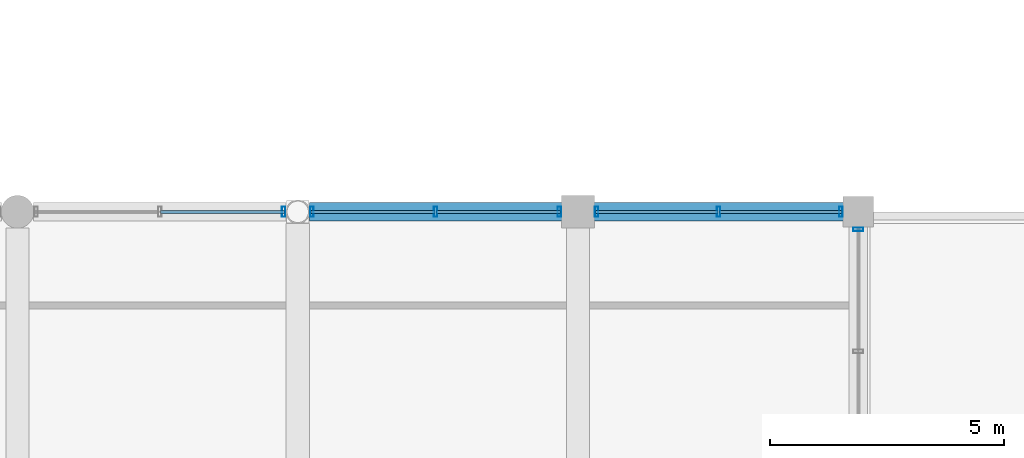
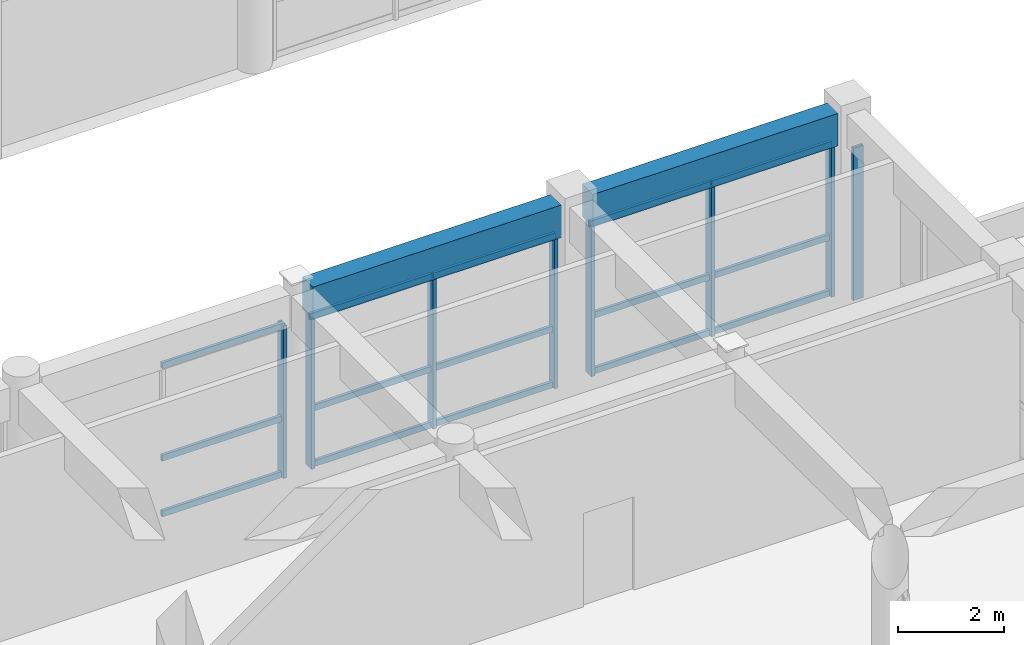
# One storey, part 41 of 116: 23 members, 2 beams, 4 elements without a shape of their own.
"""IFC4 building model written with IfcOpenShell, lengths in metres."""

from ifc_helpers import new_model, si_unit, direction, frame, origin, origin_2d, place, context, subcontext, project, spatial, rectangle, hollow_rectangle, extrude, material, material_profile, profile_set, type_object, element, aggregate, save


model = new_model("IFC4")

# Units and contexts
model_context = context("Model", 3, precision=1e-05, world=origin(), true_north=direction((0.0, 1.0)))
body_context = subcontext(model_context, "Body", "Model", "MODEL_VIEW")
ifc_project = project(units=[si_unit("LENGTHUNIT", "METRE"), si_unit("AREAUNIT", "SQUARE_METRE"), si_unit("VOLUMEUNIT", "CUBIC_METRE"), si_unit("PLANEANGLEUNIT", "RADIAN"), si_unit("MASSUNIT", "GRAM", prefix="KILO"), si_unit("THERMODYNAMICTEMPERATUREUNIT", "KELVIN"), si_unit("POWERUNIT", "WATT")], contexts=[model_context])

# Site, building, storey
site_placement = place(None, origin())
site = spatial("IfcSite", under=ifc_project, at=site_placement, CompositionType="ELEMENT")
building_placement = place(site_placement, origin())
building = spatial("IfcBuilding", under=site, at=building_placement, Name="Phaisarnlok Congress Hotel", CompositionType="ELEMENT")
storey_placement = place(building_placement, frame((0.0, 0.0, 10.5)))
storey = spatial("IfcBuildingStorey", under=building, at=storey_placement, Name="L02", CompositionType="ELEMENT", Elevation=10.5)

# Curtain wall, member
ifc_material_1 = material(Name="Thermally Broken Unitised Aluminium & Low-E Glazing", Category="aluminium")
curtain_wall_type_1 = type_object("IfcCurtainWallType", Name="CW-UNIT-16", PredefinedType="NOTDEFINED", material=ifc_material_1)
curtain_wall_1_placement = place(storey_placement, origin())
curtain_wall_1 = element("IfcCurtainWall", 1, at=curtain_wall_1_placement, inside=storey, type_object=curtain_wall_type_1, Name="Unitised curtain wall CW-16 (L02)", PredefinedType="NOTDEFINED")
ifc_material_2 = material(Name="Anodised Aluminium Alloy 6063-T6", Category="aluminium")
ifc_material_profile_1 = material_profile(ifc_material_2, hollow_rectangle(XDim=0.074951171875, YDim=0.219970703125, WallThickness=0.0048828125, at=origin_2d()), Name="ALU-M 75x220x5")
ifc_profile_set_1 = profile_set([ifc_material_profile_1], Name="Anodised Aluminium Alloy 6063-T6")
member_type_1 = type_object("IfcMemberType", Name="CWM-220", PredefinedType="MULLION", material=ifc_profile_set_1)
member_1_placement = place(storey_placement, frame((126.0, 95.625, 0.0), z_axis=(0.0, 0.0, 1.0), x_axis=(0.0, 1.0, 0.0)))
member_1 = element("IfcMember", 2, at=member_1_placement, type_object=member_type_1, Name="Curtain wall mullion CWM-02", PredefinedType="MULLION", context=body_context, shape_type="SweptSolid", body=[
    extrude(hollow_rectangle(XDim=0.074951171875, YDim=0.219970703125, WallThickness=0.0048828125, at=origin_2d()), origin(), (0.0, 0.0, 1.0), 3.510009765625),
])
aggregate(curtain_wall_1, [member_1])

# Curtain wall, members
curtain_wall_2_placement = place(storey_placement, origin())
curtain_wall_2 = element("IfcCurtainWall", 3, at=curtain_wall_2_placement, inside=storey, type_object=curtain_wall_type_1, Name="Unitised curtain wall CW-16 (L02)", PredefinedType="NOTDEFINED")
member_2_placement = place(storey_placement, frame((125.625, 96.0, 0.0), z_axis=(0.0, 0.0, 1.0), x_axis=(-1.0, 0.0, 0.0)))
member_2 = element("IfcMember", 4, at=member_2_placement, type_object=member_type_1, Name="Curtain wall mullion CWM-02", PredefinedType="MULLION", context=body_context, shape_type="SweptSolid", body=[
    extrude(hollow_rectangle(XDim=0.074951171875, YDim=0.219970703125, WallThickness=0.0048828125, at=origin_2d()), origin(), (0.0, 0.0, 1.0), 3.510009765625),
])
member_3_placement = place(storey_placement, frame((123.012451171875, 96.0, 0.0), z_axis=(0.0, 0.0, 1.0), x_axis=(-1.0, 0.0, 0.0)))
member_3 = element("IfcMember", 5, at=member_3_placement, type_object=member_type_1, Name="Curtain wall mullion CWM-02", PredefinedType="MULLION", context=body_context, shape_type="SweptSolid", body=[
    extrude(hollow_rectangle(XDim=0.074951171875, YDim=0.219970703125, WallThickness=0.0048828125, at=origin_2d()), origin(), (0.0, 0.0, 1.0), 3.510009765625),
])
member_4_placement = place(storey_placement, frame((120.39990234375, 96.0, 0.0), z_axis=(0.0, 0.0, 1.0), x_axis=(-1.0, 0.0, 0.0)))
member_4 = element("IfcMember", 6, at=member_4_placement, type_object=member_type_1, Name="Curtain wall mullion CWM-02", PredefinedType="MULLION", context=body_context, shape_type="SweptSolid", body=[
    extrude(hollow_rectangle(XDim=0.074951171875, YDim=0.219970703125, WallThickness=0.0048828125, at=origin_2d()), origin(), (0.0, 0.0, 1.0), 3.510009765625),
])

curtain_wall_type_2 = type_object("IfcCurtainWallType", Name="CW-UNIT-17", PredefinedType="NOTDEFINED", material=ifc_material_1)
curtain_wall_3_placement = place(storey_placement, origin())
curtain_wall_3 = element("IfcCurtainWall", 7, at=curtain_wall_3_placement, inside=storey, type_object=curtain_wall_type_2, Name="Unitised curtain wall CW-17 (L02)", PredefinedType="NOTDEFINED")
member_5_placement = place(storey_placement, frame((119.60009765625, 96.0, 0.0), z_axis=(0.0, 0.0, 1.0), x_axis=(-1.0, 0.0, 0.0)))
member_5 = element("IfcMember", 8, at=member_5_placement, type_object=member_type_1, Name="Curtain wall mullion CWM-02", PredefinedType="MULLION", context=body_context, shape_type="SweptSolid", body=[
    extrude(hollow_rectangle(XDim=0.074951171875, YDim=0.219970703125, WallThickness=0.0048828125, at=origin_2d()), origin(), (0.0, 0.0, 1.0), 3.510009765625),
])
member_6_placement = place(storey_placement, frame((116.951904296875, 96.0, 0.0), z_axis=(0.0, 0.0, 1.0), x_axis=(-1.0, 0.0, 0.0)))
member_6 = element("IfcMember", 9, at=member_6_placement, type_object=member_type_1, Name="Curtain wall mullion CWM-02", PredefinedType="MULLION", context=body_context, shape_type="SweptSolid", body=[
    extrude(hollow_rectangle(XDim=0.074951171875, YDim=0.219970703125, WallThickness=0.0048828125, at=origin_2d()), origin(), (0.0, 0.0, 1.0), 3.510009765625),
])
member_7_placement = place(storey_placement, frame((114.303955078125, 96.0, 0.0), z_axis=(0.0, 0.0, 1.0), x_axis=(-1.0, 0.0, 0.0)))
member_7 = element("IfcMember", 10, at=member_7_placement, type_object=member_type_1, Name="Curtain wall mullion CWM-02", PredefinedType="MULLION", context=body_context, shape_type="SweptSolid", body=[
    extrude(hollow_rectangle(XDim=0.074951171875, YDim=0.219970703125, WallThickness=0.0048828125, at=origin_2d()), origin(), (0.0, 0.0, 1.0), 3.510009765625),
])

# Curtain wall, member
curtain_wall_4_placement = place(storey_placement, origin())
curtain_wall_4 = element("IfcCurtainWall", 11, at=curtain_wall_4_placement, inside=storey, type_object=curtain_wall_type_2, Name="Unitised curtain wall CW-17 (L02)", PredefinedType="NOTDEFINED")
member_8_placement = place(storey_placement, frame((113.696044921875, 96.0, 0.0), z_axis=(0.0, 0.0, 1.0), x_axis=(-1.0, 0.0, 0.0)))
member_8 = element("IfcMember", 12, at=member_8_placement, type_object=member_type_1, Name="Curtain wall mullion CWM-02", PredefinedType="MULLION", context=body_context, shape_type="SweptSolid", body=[
    extrude(hollow_rectangle(XDim=0.074951171875, YDim=0.219970703125, WallThickness=0.0048828125, at=origin_2d()), origin(), (0.0, 0.0, 1.0), 3.510009765625),
])

# Member
ifc_material_profile_2 = material_profile(ifc_material_2, hollow_rectangle(XDim=0.06494140625, YDim=0.139892578125, WallThickness=0.00390625, at=origin_2d()), Name="ALU-T 65x140x4")
ifc_profile_set_2 = profile_set([ifc_material_profile_2], Name="Anodised Aluminium Alloy 6063-T6")
member_type_2 = type_object("IfcMemberType", Name="CWT-150", PredefinedType="USERDEFINED", material=ifc_profile_set_2)
member_9_placement = place(storey_placement, frame((125.64990234375, 96.0, 0.050048828125), z_axis=(-1.0, 0.0, 0.0), x_axis=(0.0, -1.0, 0.0)))
member_9 = element("IfcMember", 13, at=member_9_placement, type_object=member_type_2, Name="Curtain wall transom CWT-01", ObjectType="TRANSOM", PredefinedType="USERDEFINED", context=body_context, shape_type="SweptSolid", body=[
    extrude(hollow_rectangle(XDim=0.06494140625, YDim=0.139892578125, WallThickness=0.00390625, at=origin_2d()), origin(), (0.0, 0.0, 1.0), 2.622314453125),
])

member_10_placement = place(storey_placement, frame((125.64990234375, 96.0, 1.333740234375), z_axis=(-1.0, 0.0, 0.0), x_axis=(0.0, -1.0, 0.0)))
member_10 = element("IfcMember", 14, at=member_10_placement, type_object=member_type_2, Name="Curtain wall transom CWT-01", ObjectType="TRANSOM", PredefinedType="USERDEFINED", context=body_context, shape_type="SweptSolid", body=[
    extrude(hollow_rectangle(XDim=0.06494140625, YDim=0.139892578125, WallThickness=0.00390625, at=origin_2d()), origin(), (0.0, 0.0, 1.0), 2.622314453125),
])

member_11_placement = place(storey_placement, frame((125.64990234375, 96.0, 3.4599609375), z_axis=(-1.0, 0.0, 0.0), x_axis=(0.0, -1.0, 0.0)))
member_11 = element("IfcMember", 15, at=member_11_placement, type_object=member_type_2, Name="Curtain wall transom CWT-01", ObjectType="TRANSOM", PredefinedType="USERDEFINED", context=body_context, shape_type="SweptSolid", body=[
    extrude(hollow_rectangle(XDim=0.06494140625, YDim=0.139892578125, WallThickness=0.00390625, at=origin_2d()), origin(), (0.0, 0.0, 1.0), 2.622314453125),
])

member_12_placement = place(storey_placement, frame((122.99755859375, 96.0, 0.050048828125), z_axis=(-1.0, 0.0, 0.0), x_axis=(0.0, -1.0, 0.0)))
member_12 = element("IfcMember", 16, at=member_12_placement, type_object=member_type_2, Name="Curtain wall transom CWT-01", ObjectType="TRANSOM", PredefinedType="USERDEFINED", context=body_context, shape_type="SweptSolid", body=[
    extrude(hollow_rectangle(XDim=0.06494140625, YDim=0.139892578125, WallThickness=0.00390625, at=origin_2d()), origin(), (0.0, 0.0, 1.0), 2.62255859375),
])

member_13_placement = place(storey_placement, frame((122.99755859375, 96.0, 1.333740234375), z_axis=(-1.0, 0.0, 0.0), x_axis=(0.0, -1.0, 0.0)))
member_13 = element("IfcMember", 17, at=member_13_placement, type_object=member_type_2, Name="Curtain wall transom CWT-01", ObjectType="TRANSOM", PredefinedType="USERDEFINED", context=body_context, shape_type="SweptSolid", body=[
    extrude(hollow_rectangle(XDim=0.06494140625, YDim=0.139892578125, WallThickness=0.00390625, at=origin_2d()), origin(), (0.0, 0.0, 1.0), 2.62255859375),
])

member_14_placement = place(storey_placement, frame((122.99755859375, 96.0, 3.4599609375), z_axis=(-1.0, 0.0, 0.0), x_axis=(0.0, -1.0, 0.0)))
member_14 = element("IfcMember", 18, at=member_14_placement, type_object=member_type_2, Name="Curtain wall transom CWT-01", ObjectType="TRANSOM", PredefinedType="USERDEFINED", context=body_context, shape_type="SweptSolid", body=[
    extrude(hollow_rectangle(XDim=0.06494140625, YDim=0.139892578125, WallThickness=0.00390625, at=origin_2d()), origin(), (0.0, 0.0, 1.0), 2.62255859375),
])

aggregate(curtain_wall_2, [member_2, member_3, member_4, member_9, member_10, member_11, member_12, member_13, member_14])

member_15_placement = place(storey_placement, frame((119.625, 96.0, 0.050048828125), z_axis=(-1.0, 0.0, 0.0), x_axis=(0.0, -1.0, 0.0)))
member_15 = element("IfcMember", 19, at=member_15_placement, type_object=member_type_2, Name="Curtain wall transom CWT-01", ObjectType="TRANSOM", PredefinedType="USERDEFINED", context=body_context, shape_type="SweptSolid", body=[
    extrude(hollow_rectangle(XDim=0.06494140625, YDim=0.139892578125, WallThickness=0.00390625, at=origin_2d()), origin(), (0.0, 0.0, 1.0), 2.657958984375),
])

member_16_placement = place(storey_placement, frame((119.625, 96.0, 1.333740234375), z_axis=(-1.0, 0.0, 0.0), x_axis=(0.0, -1.0, 0.0)))
member_16 = element("IfcMember", 20, at=member_16_placement, type_object=member_type_2, Name="Curtain wall transom CWT-01", ObjectType="TRANSOM", PredefinedType="USERDEFINED", context=body_context, shape_type="SweptSolid", body=[
    extrude(hollow_rectangle(XDim=0.06494140625, YDim=0.139892578125, WallThickness=0.00390625, at=origin_2d()), origin(), (0.0, 0.0, 1.0), 2.657958984375),
])

member_17_placement = place(storey_placement, frame((119.625, 96.0, 3.4599609375), z_axis=(-1.0, 0.0, 0.0), x_axis=(0.0, -1.0, 0.0)))
member_17 = element("IfcMember", 21, at=member_17_placement, type_object=member_type_2, Name="Curtain wall transom CWT-01", ObjectType="TRANSOM", PredefinedType="USERDEFINED", context=body_context, shape_type="SweptSolid", body=[
    extrude(hollow_rectangle(XDim=0.06494140625, YDim=0.139892578125, WallThickness=0.00390625, at=origin_2d()), origin(), (0.0, 0.0, 1.0), 2.657958984375),
])

member_18_placement = place(storey_placement, frame((116.93701171875, 96.0, 0.050048828125), z_axis=(-1.0, 0.0, 0.0), x_axis=(0.0, -1.0, 0.0)))
member_18 = element("IfcMember", 22, at=member_18_placement, type_object=member_type_2, Name="Curtain wall transom CWT-01", ObjectType="TRANSOM", PredefinedType="USERDEFINED", context=body_context, shape_type="SweptSolid", body=[
    extrude(hollow_rectangle(XDim=0.06494140625, YDim=0.139892578125, WallThickness=0.00390625, at=origin_2d()), origin(), (0.0, 0.0, 1.0), 2.657958984375),
])

member_19_placement = place(storey_placement, frame((116.93701171875, 96.0, 1.333740234375), z_axis=(-1.0, 0.0, 0.0), x_axis=(0.0, -1.0, 0.0)))
member_19 = element("IfcMember", 23, at=member_19_placement, type_object=member_type_2, Name="Curtain wall transom CWT-01", ObjectType="TRANSOM", PredefinedType="USERDEFINED", context=body_context, shape_type="SweptSolid", body=[
    extrude(hollow_rectangle(XDim=0.06494140625, YDim=0.139892578125, WallThickness=0.00390625, at=origin_2d()), origin(), (0.0, 0.0, 1.0), 2.657958984375),
])

member_20_placement = place(storey_placement, frame((116.93701171875, 96.0, 3.4599609375), z_axis=(-1.0, 0.0, 0.0), x_axis=(0.0, -1.0, 0.0)))
member_20 = element("IfcMember", 24, at=member_20_placement, type_object=member_type_2, Name="Curtain wall transom CWT-01", ObjectType="TRANSOM", PredefinedType="USERDEFINED", context=body_context, shape_type="SweptSolid", body=[
    extrude(hollow_rectangle(XDim=0.06494140625, YDim=0.139892578125, WallThickness=0.00390625, at=origin_2d()), origin(), (0.0, 0.0, 1.0), 2.657958984375),
])

aggregate(curtain_wall_3, [member_5, member_6, member_7, member_15, member_16, member_17, member_18, member_19, member_20])

member_21_placement = place(storey_placement, frame((113.720947265625, 96.0, 0.050048828125), z_axis=(-1.0, 0.0, 0.0), x_axis=(0.0, -1.0, 0.0)))
member_21 = element("IfcMember", 25, at=member_21_placement, type_object=member_type_2, Name="Curtain wall transom CWT-01", ObjectType="TRANSOM", PredefinedType="USERDEFINED", context=body_context, shape_type="SweptSolid", body=[
    extrude(hollow_rectangle(XDim=0.06494140625, YDim=0.139892578125, WallThickness=0.00390625, at=origin_2d()), origin(), (0.0, 0.0, 1.0), 2.657958984375),
])

member_22_placement = place(storey_placement, frame((113.720947265625, 96.0, 1.333740234375), z_axis=(-1.0, 0.0, 0.0), x_axis=(0.0, -1.0, 0.0)))
member_22 = element("IfcMember", 26, at=member_22_placement, type_object=member_type_2, Name="Curtain wall transom CWT-01", ObjectType="TRANSOM", PredefinedType="USERDEFINED", context=body_context, shape_type="SweptSolid", body=[
    extrude(hollow_rectangle(XDim=0.06494140625, YDim=0.139892578125, WallThickness=0.00390625, at=origin_2d()), origin(), (0.0, 0.0, 1.0), 2.657958984375),
])

member_23_placement = place(storey_placement, frame((113.720947265625, 96.0, 3.4599609375), z_axis=(-1.0, 0.0, 0.0), x_axis=(0.0, -1.0, 0.0)))
member_23 = element("IfcMember", 27, at=member_23_placement, type_object=member_type_2, Name="Curtain wall transom CWT-01", ObjectType="TRANSOM", PredefinedType="USERDEFINED", context=body_context, shape_type="SweptSolid", body=[
    extrude(hollow_rectangle(XDim=0.06494140625, YDim=0.139892578125, WallThickness=0.00390625, at=origin_2d()), origin(), (0.0, 0.0, 1.0), 2.657958984375),
])

aggregate(curtain_wall_4, [member_8, member_21, member_22, member_23])

# Beams
ifc_material_3 = material(Name="Concrete C40/50", Category="concrete")
ifc_material_profile_3 = material_profile(ifc_material_3, rectangle(XDim=0.39990234375, YDim=0.75, at=origin_2d()), Name="RC 400x750")
ifc_profile_set_3 = profile_set([ifc_material_profile_3], Name="Concrete C40/50")
beam_type = type_object("IfcBeamType", Name="SP-RC-400x750", PredefinedType="SPANDREL", material=ifc_profile_set_3)
beam_1_placement = place(storey_placement, frame((114.2490234375, 96.0, 3.885009765625), z_axis=(1.0, 0.0, 0.0), x_axis=(0.0, 1.0, 0.0)))
element("IfcBeam", 28, at=beam_1_placement, inside=storey, type_object=beam_type, Name="Beam SP-02", PredefinedType="SPANDREL", context=body_context, shape_type="SweptSolid", body=[
    extrude(rectangle(XDim=0.39990234375, YDim=0.75, at=origin_2d()), origin(), (0.0, 0.0, 1.0), 5.406005859375),
])
beam_2_placement = place(storey_placement, frame((120.344970703125, 96.0, 3.885009765625), z_axis=(1.0, 0.0, 0.0), x_axis=(0.0, 1.0, 0.0)))
element("IfcBeam", 29, at=beam_2_placement, inside=storey, type_object=beam_type, Name="Beam SP-02", PredefinedType="SPANDREL", context=body_context, shape_type="SweptSolid", body=[
    extrude(rectangle(XDim=0.39990234375, YDim=0.75, at=origin_2d()), origin(), (0.0, 0.0, 1.0), 5.3349609375),
])

save(model, "model.ifc")
